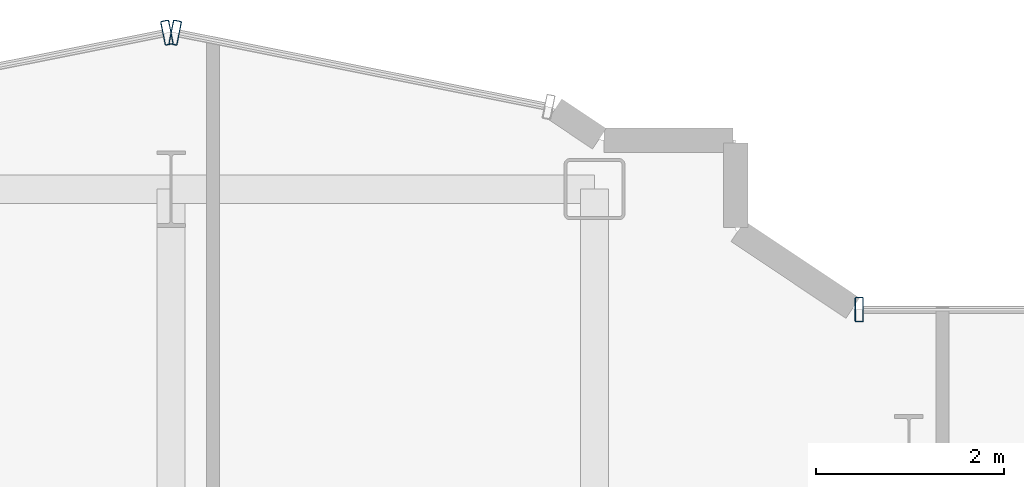
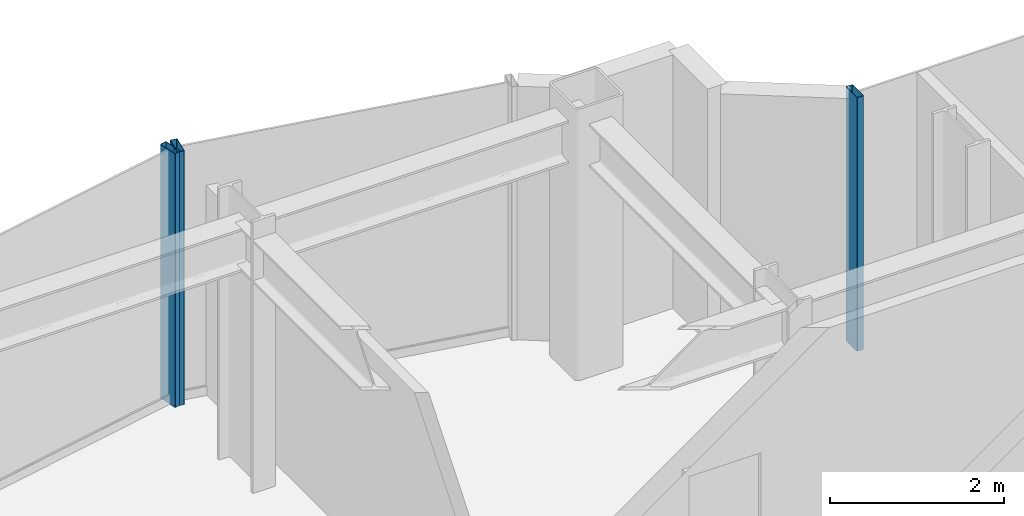
# One storey, part 10 of 20: 3 members, 3 elements without a shape of their own.
"""IFC4 building model written with IfcOpenShell, lengths in metres."""

from ifc_helpers import new_model, si_unit, direction, frame, origin, origin_2d, place, context, subcontext, project, spatial, hollow_rectangle, extrude, source, transform, mapped, material, layer, layer_set, material_profile, profile_set, type_object, element, aggregate, save


model = new_model("IFC4")

# Units and contexts
model_context = context("Model", 3, precision=1e-05, world=origin(), true_north=direction((0.0, 1.0)))
body_context = subcontext(model_context, "Body", "Model", "MODEL_VIEW")
ifc_project = project(units=[si_unit("LENGTHUNIT", "METRE"), si_unit("AREAUNIT", "SQUARE_METRE"), si_unit("VOLUMEUNIT", "CUBIC_METRE"), si_unit("PLANEANGLEUNIT", "RADIAN"), si_unit("MASSUNIT", "GRAM", prefix="KILO")], contexts=[model_context])

# Site, building, storey
site_placement = place(None, origin())
site = spatial("IfcSite", under=ifc_project, at=site_placement, CompositionType="ELEMENT")
building_placement = place(site_placement, origin())
building = spatial("IfcBuilding", under=site, at=building_placement, Name="Nefas-Gora Pilgrimage Tower", CompositionType="ELEMENT")
storey_placement = place(building_placement, frame((0.0, 0.0, 221.800048828125)))
storey = spatial("IfcBuildingStorey", under=building, at=storey_placement, Name="L55", CompositionType="ELEMENT", Elevation=221.800048828125)

# Curtain wall, member
ifc_material_1 = material(Name="Dark ceramic-fritted solar-control aluminium-glass curtain wall", Category="aluminium")
ifc_layer = layer(ifc_material_1, 0.219970703125)
ifc_layer_set = layer_set([ifc_layer], Name="Dark ceramic-fritted solar-control aluminium-glass curtain wall")
curtain_wall_type = type_object("IfcCurtainWallType", Name="CW-SYS-5", PredefinedType="NOTDEFINED", material=ifc_layer_set)
curtain_wall_1_placement = place(storey_placement, origin())
curtain_wall_1 = element("IfcCurtainWall", 1, at=curtain_wall_1_placement, inside=storey, type_object=curtain_wall_type, Name="L55 Unitised Curtain Wall CW5", PredefinedType="NOTDEFINED")
ifc_material_2 = material(Name="Anodised architectural aluminium", Category="aluminium")
ifc_material_profile = material_profile(ifc_material_2, hollow_rectangle(XDim=0.090087890625, YDim=0.260009765625, WallThickness=0.006103515625, InnerFilletRadius=0.006103515625, OuterFilletRadius=0.011962890625, at=origin_2d()), Name="ALU MULLION 90x260")
ifc_profile_set = profile_set([ifc_material_profile], Name="Anodised architectural aluminium")
member_type = type_object("IfcMemberType", Name="CWM-MUL-5", PredefinedType="MULLION", material=ifc_profile_set)
shared_shape = source(origin(), body_context, "Body", "SweptSolid", [
    extrude(hollow_rectangle(XDim=0.090087890625, YDim=0.260009765625, WallThickness=0.006103515625, InnerFilletRadius=0.006103515625, OuterFilletRadius=0.011962890625, at=origin_2d()), origin(), (0.0, 0.0, 1.0), 3.550048828125),
])
member_1_placement = place(storey_placement, frame((5.06298828125, 21.219970703125, 0.0), z_axis=(0.0, 0.0, 1.0), x_axis=(-1.0, 0.0, 0.0)))
member_1 = element("IfcMember", 2, at=member_1_placement, type_object=member_type, Name="CW5 Mullion 2", PredefinedType="MULLION", context=body_context, shape_type="MappedRepresentation", body=[
    mapped(shared_shape, transform((0.0, 0.0, 0.0), x_axis=(1.0, 0.0, 0.0), y_axis=(0.0, 1.0, 0.0), z_axis=(0.0, 0.0, 1.0), scale=1.0)),
])
aggregate(curtain_wall_1, [member_1])

curtain_wall_2_placement = place(storey_placement, origin())
curtain_wall_2 = element("IfcCurtainWall", 3, at=curtain_wall_2_placement, inside=storey, type_object=curtain_wall_type, Name="L55 Unitised Curtain Wall CW5", PredefinedType="NOTDEFINED")
member_2_placement = place(storey_placement, frame((-2.205810546875, 24.16357421875, 0.0), z_axis=(0.0, 0.0, 1.0), x_axis=(-0.980782896852, 0.195102304554, 0.0)))
member_2 = element("IfcMember", 4, at=member_2_placement, type_object=member_type, Name="CW5 Mullion 2", PredefinedType="MULLION", context=body_context, shape_type="MappedRepresentation", body=[
    mapped(shared_shape, transform((0.0, 0.0, 0.0), x_axis=(1.0, 0.0, 0.0), y_axis=(0.0, 1.0, 0.0), z_axis=(0.0, 0.0, 1.0), scale=1.0)),
])
aggregate(curtain_wall_2, [member_2])

curtain_wall_3_placement = place(storey_placement, origin())
curtain_wall_3 = element("IfcCurtainWall", 5, at=curtain_wall_3_placement, inside=storey, type_object=curtain_wall_type, Name="L55 Unitised Curtain Wall CW5", PredefinedType="NOTDEFINED")
member_3_placement = place(storey_placement, frame((-2.294189453125, 24.16357421875, 0.0), z_axis=(0.0, 0.0, 1.0), x_axis=(-0.980782896852, -0.195102304554, 0.0)))
member_3 = element("IfcMember", 6, at=member_3_placement, type_object=member_type, Name="CW5 Mullion 1", PredefinedType="MULLION", context=body_context, shape_type="MappedRepresentation", body=[
    mapped(shared_shape, transform((0.0, 0.0, 0.0), x_axis=(1.0, 0.0, 0.0), y_axis=(0.0, 1.0, 0.0), z_axis=(0.0, 0.0, 1.0), scale=1.0)),
])
aggregate(curtain_wall_3, [member_3])

save(model, "model.ifc")
